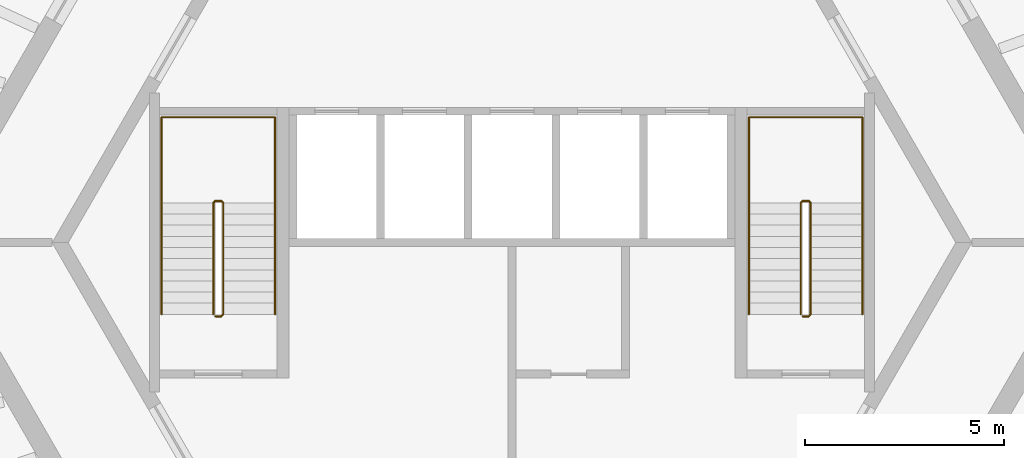
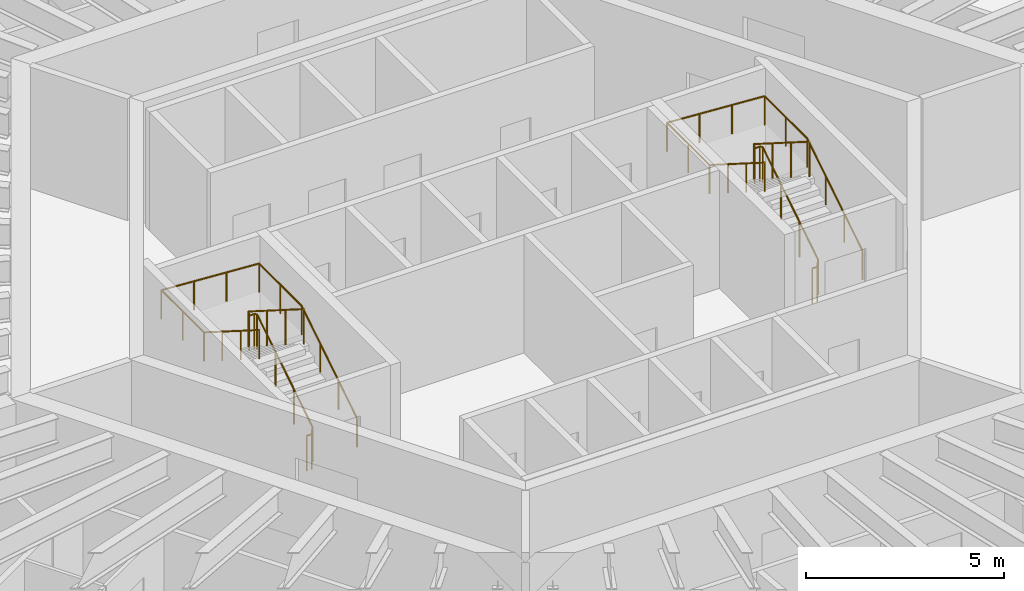
# One storey, part 10 of 10: 4 railings.
"""IFC4 building model written with IfcOpenShell, lengths in metres."""

from ifc_helpers import new_model, si_unit, direction, frame, origin, origin_2d, place, context, subcontext, project, spatial, circle, extrude, material, type_object, element, save


model = new_model("IFC4")

# Units and contexts
model_context = context("Model", 3, precision=1e-05, world=origin(), true_north=direction((0.0, 1.0)))
body_context = subcontext(model_context, "Body", "Model", "MODEL_VIEW")
ifc_project = project(units=[si_unit("LENGTHUNIT", "METRE"), si_unit("AREAUNIT", "SQUARE_METRE"), si_unit("VOLUMEUNIT", "CUBIC_METRE"), si_unit("PLANEANGLEUNIT", "RADIAN"), si_unit("MASSUNIT", "GRAM", prefix="KILO")], contexts=[model_context])

# Site, building, storey
site_placement = place(None, origin())
site = spatial("IfcSite", under=ifc_project, at=site_placement, CompositionType="ELEMENT")
building_placement = place(site_placement, origin())
building = spatial("IfcBuilding", under=site, at=building_placement, Name="Tarnside Tower", CompositionType="ELEMENT")
storey_placement = place(building_placement, frame((0.0, 0.0, 199.5)))
storey = spatial("IfcBuildingStorey", under=building, at=storey_placement, Name="L47", CompositionType="ELEMENT", Elevation=199.5)

# Railings
ifc_material = material(Name="Stainless steel", Category="steel")
railing_type_1 = type_object("IfcRailingType", Name="Stair guard 1100", PredefinedType="GUARDRAIL", material=ifc_material)
railing_1_placement = place(storey_placement, frame((7.300048828125, -1.85009765625, 0.0)))
element("IfcRailing", 1, at=railing_1_placement, inside=storey, type_object=railing_type_1, Name="L47 ST1 stair guard 1", PredefinedType="GUARDRAIL", context=body_context, shape_type="SweptSolid", body=[
    extrude(circle(Radius=0.02392578125, at=origin_2d()), frame((0.0, 0.0, 1.076171875), z_axis=(1.0, 0.0, 0.0), x_axis=(0.0, 1.0, 0.0)), (0.0, 0.0, 1.0), 0.14990234375),
    extrude(circle(Radius=0.02392578125, at=origin_2d()), frame((0.14990234375, 0.0, 1.076171875), z_axis=(0.262233686654, 0.262233686654, 0.928691007369), x_axis=(-0.707106781187, 0.707106781187, 0.0)), (0.0, 0.0, 1.0), 0.19091796875),
    extrude(circle(Radius=0.02392578125, at=origin_2d()), frame((0.199951171875, 0.050048828125, 1.25341796875), z_axis=(0.0, 0.844908973607, 0.534910110503), x_axis=(-1.0, 0.0, 0.0)), (0.0, 0.0, 1.0), 3.31396484375),
    extrude(circle(Radius=0.02392578125, at=origin_2d()), frame((0.199951171875, 2.85009765625, 3.02587890625), z_axis=(-0.707106781187, 0.707106781187, 0.0), x_axis=(-0.707106781187, -0.707106781187, 0.0)), (0.0, 0.0, 1.0), 0.07080078125),
    extrude(circle(Radius=0.02392578125, at=origin_2d()), frame((0.14990234375, 2.900146484375, 3.02587890625), z_axis=(-1.0, 0.0, 0.0), x_axis=(0.0, -1.0, 0.0)), (0.0, 0.0, 1.0), 0.14990234375),
    extrude(circle(Radius=0.02392578125, at=origin_2d()), frame((0.0, 2.900146484375, 3.02587890625), z_axis=(-0.262233686654, -0.262233686654, 0.928691007369), x_axis=(0.707106781187, -0.707106781187, 0.0)), (0.0, 0.0, 1.0), 0.19091796875),
    extrude(circle(Radius=0.02392578125, at=origin_2d()), frame((-0.050048828125, 2.85009765625, 3.203125), z_axis=(0.0, -0.844908973607, 0.534910110503), x_axis=(1.0, 0.0, 0.0)), (0.0, 0.0, 1.0), 3.31396484375),
    extrude(circle(Radius=0.02099609375, at=origin_2d()), origin(), (0.0, 0.0, 1.0), 1.052001953125),
    extrude(circle(Radius=0.02099609375, at=origin_2d()), frame((0.14990234375, 0.0, 0.0)), (0.0, 0.0, 1.0), 1.052001953125),
    extrude(circle(Radius=0.02099609375, at=origin_2d()), frame((0.199951171875, 0.050048828125, 0.17724609375)), (0.0, 0.0, 1.0), 1.052001953125),
    extrude(circle(Radius=0.02099609375, at=origin_2d()), frame((0.199951171875, 0.9833984375, 0.76806640625)), (0.0, 0.0, 1.0), 1.052001953125),
    extrude(circle(Radius=0.02099609375, at=origin_2d()), frame((0.199951171875, 1.916748046875, 1.359130859375)), (0.0, 0.0, 1.0), 1.052001953125),
    extrude(circle(Radius=0.02099609375, at=origin_2d()), frame((0.199951171875, 2.85009765625, 1.949951171875)), (0.0, 0.0, 1.0), 1.052001953125),
    extrude(circle(Radius=0.02099609375, at=origin_2d()), frame((0.14990234375, 2.900146484375, 1.949951171875)), (0.0, 0.0, 1.0), 1.052001953125),
    extrude(circle(Radius=0.02099609375, at=origin_2d()), frame((0.0, 2.900146484375, 1.949951171875)), (0.0, 0.0, 1.0), 1.052001953125),
    extrude(circle(Radius=0.02099609375, at=origin_2d()), frame((-0.050048828125, 2.85009765625, 2.127197265625)), (0.0, 0.0, 1.0), 1.052001953125),
    extrude(circle(Radius=0.02099609375, at=origin_2d()), frame((-0.050048828125, 1.916748046875, 2.718017578125)), (0.0, 0.0, 1.0), 1.052001953125),
    extrude(circle(Radius=0.02099609375, at=origin_2d()), frame((-0.050048828125, 0.9833984375, 3.30908203125)), (0.0, 0.0, 1.0), 1.052001953125),
    extrude(circle(Radius=0.02099609375, at=origin_2d()), frame((-0.050048828125, 0.050048828125, 3.89990234375)), (0.0, 0.0, 1.0), 1.052001953125),
])
railing_2_placement = place(storey_placement, frame((-7.449951171875, -1.85009765625, 0.0)))
element("IfcRailing", 2, at=railing_2_placement, inside=storey, type_object=railing_type_1, Name="L47 ST2 stair guard 1", PredefinedType="GUARDRAIL", context=body_context, shape_type="SweptSolid", body=[
    extrude(circle(Radius=0.02392578125, at=origin_2d()), frame((0.0, 0.0, 1.076171875), z_axis=(1.0, 0.0, 0.0), x_axis=(0.0, 1.0, 0.0)), (0.0, 0.0, 1.0), 0.14990234375),
    extrude(circle(Radius=0.02392578125, at=origin_2d()), frame((0.14990234375, 0.0, 1.076171875), z_axis=(0.262233686654, 0.262233686654, 0.928691007369), x_axis=(-0.707106781187, 0.707106781187, 0.0)), (0.0, 0.0, 1.0), 0.19091796875),
    extrude(circle(Radius=0.02392578125, at=origin_2d()), frame((0.199951171875, 0.050048828125, 1.25341796875), z_axis=(0.0, 0.844908973607, 0.534910110503), x_axis=(-1.0, 0.0, 0.0)), (0.0, 0.0, 1.0), 3.31396484375),
    extrude(circle(Radius=0.02392578125, at=origin_2d()), frame((0.199951171875, 2.85009765625, 3.02587890625), z_axis=(-0.707106781187, 0.707106781187, 0.0), x_axis=(-0.707106781187, -0.707106781187, 0.0)), (0.0, 0.0, 1.0), 0.07080078125),
    extrude(circle(Radius=0.02392578125, at=origin_2d()), frame((0.14990234375, 2.900146484375, 3.02587890625), z_axis=(-1.0, 0.0, 0.0), x_axis=(0.0, -1.0, 0.0)), (0.0, 0.0, 1.0), 0.14990234375),
    extrude(circle(Radius=0.02392578125, at=origin_2d()), frame((0.0, 2.900146484375, 3.02587890625), z_axis=(-0.262233686654, -0.262233686654, 0.928691007369), x_axis=(0.707106781187, -0.707106781187, 0.0)), (0.0, 0.0, 1.0), 0.19091796875),
    extrude(circle(Radius=0.02392578125, at=origin_2d()), frame((-0.050048828125, 2.85009765625, 3.203125), z_axis=(0.0, -0.844908973607, 0.534910110503), x_axis=(1.0, 0.0, 0.0)), (0.0, 0.0, 1.0), 3.31396484375),
    extrude(circle(Radius=0.02099609375, at=origin_2d()), origin(), (0.0, 0.0, 1.0), 1.052001953125),
    extrude(circle(Radius=0.02099609375, at=origin_2d()), frame((0.14990234375, 0.0, 0.0)), (0.0, 0.0, 1.0), 1.052001953125),
    extrude(circle(Radius=0.02099609375, at=origin_2d()), frame((0.199951171875, 0.050048828125, 0.17724609375)), (0.0, 0.0, 1.0), 1.052001953125),
    extrude(circle(Radius=0.02099609375, at=origin_2d()), frame((0.199951171875, 0.9833984375, 0.76806640625)), (0.0, 0.0, 1.0), 1.052001953125),
    extrude(circle(Radius=0.02099609375, at=origin_2d()), frame((0.199951171875, 1.916748046875, 1.359130859375)), (0.0, 0.0, 1.0), 1.052001953125),
    extrude(circle(Radius=0.02099609375, at=origin_2d()), frame((0.199951171875, 2.85009765625, 1.949951171875)), (0.0, 0.0, 1.0), 1.052001953125),
    extrude(circle(Radius=0.02099609375, at=origin_2d()), frame((0.14990234375, 2.900146484375, 1.949951171875)), (0.0, 0.0, 1.0), 1.052001953125),
    extrude(circle(Radius=0.02099609375, at=origin_2d()), frame((0.0, 2.900146484375, 1.949951171875)), (0.0, 0.0, 1.0), 1.052001953125),
    extrude(circle(Radius=0.02099609375, at=origin_2d()), frame((-0.050048828125, 2.85009765625, 2.127197265625)), (0.0, 0.0, 1.0), 1.052001953125),
    extrude(circle(Radius=0.02099609375, at=origin_2d()), frame((-0.050048828125, 1.916748046875, 2.718017578125)), (0.0, 0.0, 1.0), 1.052001953125),
    extrude(circle(Radius=0.02099609375, at=origin_2d()), frame((-0.050048828125, 0.9833984375, 3.30908203125)), (0.0, 0.0, 1.0), 1.052001953125),
    extrude(circle(Radius=0.02099609375, at=origin_2d()), frame((-0.050048828125, 0.050048828125, 3.89990234375)), (0.0, 0.0, 1.0), 1.052001953125),
])
railing_type_2 = type_object("IfcRailingType", Name="Stair handrail 900", PredefinedType="HANDRAIL", material=ifc_material)
railing_3_placement = place(storey_placement, frame((8.800048828125, -1.800048828125, 0.17724609375)))
element("IfcRailing", 3, at=railing_3_placement, inside=storey, type_object=railing_type_2, Name="L47 ST1 stair handrail 1", PredefinedType="HANDRAIL", context=body_context, shape_type="SweptSolid", body=[
    extrude(circle(Radius=0.02392578125, at=origin_2d()), frame((0.0, 0.0, 0.8857421875), z_axis=(0.0, 0.844908973607, 0.534910110503), x_axis=(-1.0, 0.0, 0.0)), (0.0, 0.0, 1.0), 3.31396484375),
    extrude(circle(Radius=0.02392578125, at=origin_2d()), frame((0.0, 2.800048828125, 2.65869140625), z_axis=(0.0, 1.0, 0.0), x_axis=(-1.0, 0.0, 0.0)), (0.0, 0.0, 1.0), 2.14990234375),
    extrude(circle(Radius=0.02392578125, at=origin_2d()), frame((0.0, 4.949951171875, 2.65869140625), z_axis=(-0.998071825391, 0.0, 0.06206956872), x_axis=(0.0, -1.0, 0.0)), (0.0, 0.0, 1.0), 2.855712890625),
    extrude(circle(Radius=0.02392578125, at=origin_2d()), frame((-2.85009765625, 4.949951171875, 2.8359375), z_axis=(0.0, -1.0, 0.0), x_axis=(1.0, 0.0, 0.0)), (0.0, 0.0, 1.0), 2.14990234375),
    extrude(circle(Radius=0.02392578125, at=origin_2d()), frame((-2.85009765625, 2.800048828125, 2.8359375), z_axis=(0.0, -0.844908973607, 0.534910110503), x_axis=(1.0, 0.0, 0.0)), (0.0, 0.0, 1.0), 3.31396484375),
    extrude(circle(Radius=0.02099609375, at=origin_2d()), origin(), (0.0, 0.0, 1.0), 0.86181640625),
    extrude(circle(Radius=0.02099609375, at=origin_2d()), frame((0.0, 0.933349609375, 0.5908203125)), (0.0, 0.0, 1.0), 0.86181640625),
    extrude(circle(Radius=0.02099609375, at=origin_2d()), frame((0.0, 1.86669921875, 1.181884765625)), (0.0, 0.0, 1.0), 0.86181640625),
    extrude(circle(Radius=0.02099609375, at=origin_2d()), frame((0.0, 2.800048828125, 1.772705078125)), (0.0, 0.0, 1.0), 0.86181640625),
    extrude(circle(Radius=0.02099609375, at=origin_2d()), frame((0.0, 3.875, 1.772705078125)), (0.0, 0.0, 1.0), 0.86181640625),
    extrude(circle(Radius=0.02099609375, at=origin_2d()), frame((0.0, 4.949951171875, 1.772705078125)), (0.0, 0.0, 1.0), 0.86181640625),
    extrude(circle(Radius=0.02099609375, at=origin_2d()), frame((-0.949951171875, 4.949951171875, 1.831787109375)), (0.0, 0.0, 1.0), 0.86181640625),
    extrude(circle(Radius=0.02099609375, at=origin_2d()), frame((-1.900146484375, 4.949951171875, 1.890869140625)), (0.0, 0.0, 1.0), 0.86181640625),
    extrude(circle(Radius=0.02099609375, at=origin_2d()), frame((-2.85009765625, 4.949951171875, 1.949951171875)), (0.0, 0.0, 1.0), 0.86181640625),
    extrude(circle(Radius=0.02099609375, at=origin_2d()), frame((-2.85009765625, 3.875, 1.949951171875)), (0.0, 0.0, 1.0), 0.86181640625),
    extrude(circle(Radius=0.02099609375, at=origin_2d()), frame((-2.85009765625, 2.800048828125, 1.949951171875)), (0.0, 0.0, 1.0), 0.86181640625),
    extrude(circle(Radius=0.02099609375, at=origin_2d()), frame((-2.85009765625, 1.86669921875, 2.540771484375)), (0.0, 0.0, 1.0), 0.86181640625),
    extrude(circle(Radius=0.02099609375, at=origin_2d()), frame((-2.85009765625, 0.933349609375, 3.1318359375)), (0.0, 0.0, 1.0), 0.86181640625),
    extrude(circle(Radius=0.02099609375, at=origin_2d()), frame((-2.85009765625, 0.0, 3.72265625)), (0.0, 0.0, 1.0), 0.86181640625),
])
railing_4_placement = place(storey_placement, frame((-5.949951171875, -1.800048828125, 0.17724609375)))
element("IfcRailing", 4, at=railing_4_placement, inside=storey, type_object=railing_type_2, Name="L47 ST2 stair handrail 1", PredefinedType="HANDRAIL", context=body_context, shape_type="SweptSolid", body=[
    extrude(circle(Radius=0.02392578125, at=origin_2d()), frame((0.0, 0.0, 0.8857421875), z_axis=(0.0, 0.844908973607, 0.534910110503), x_axis=(-1.0, 0.0, 0.0)), (0.0, 0.0, 1.0), 3.31396484375),
    extrude(circle(Radius=0.02392578125, at=origin_2d()), frame((0.0, 2.800048828125, 2.65869140625), z_axis=(0.0, 1.0, 0.0), x_axis=(-1.0, 0.0, 0.0)), (0.0, 0.0, 1.0), 2.14990234375),
    extrude(circle(Radius=0.02392578125, at=origin_2d()), frame((0.0, 4.949951171875, 2.65869140625), z_axis=(-0.998071825391, 0.0, 0.06206956872), x_axis=(0.0, -1.0, 0.0)), (0.0, 0.0, 1.0), 2.855712890625),
    extrude(circle(Radius=0.02392578125, at=origin_2d()), frame((-2.85009765625, 4.949951171875, 2.8359375), z_axis=(0.0, -1.0, 0.0), x_axis=(1.0, 0.0, 0.0)), (0.0, 0.0, 1.0), 2.14990234375),
    extrude(circle(Radius=0.02392578125, at=origin_2d()), frame((-2.85009765625, 2.800048828125, 2.8359375), z_axis=(0.0, -0.844908973607, 0.534910110503), x_axis=(1.0, 0.0, 0.0)), (0.0, 0.0, 1.0), 3.31396484375),
    extrude(circle(Radius=0.02099609375, at=origin_2d()), origin(), (0.0, 0.0, 1.0), 0.86181640625),
    extrude(circle(Radius=0.02099609375, at=origin_2d()), frame((0.0, 0.933349609375, 0.5908203125)), (0.0, 0.0, 1.0), 0.86181640625),
    extrude(circle(Radius=0.02099609375, at=origin_2d()), frame((0.0, 1.86669921875, 1.181884765625)), (0.0, 0.0, 1.0), 0.86181640625),
    extrude(circle(Radius=0.02099609375, at=origin_2d()), frame((0.0, 2.800048828125, 1.772705078125)), (0.0, 0.0, 1.0), 0.86181640625),
    extrude(circle(Radius=0.02099609375, at=origin_2d()), frame((0.0, 3.875, 1.772705078125)), (0.0, 0.0, 1.0), 0.86181640625),
    extrude(circle(Radius=0.02099609375, at=origin_2d()), frame((0.0, 4.949951171875, 1.772705078125)), (0.0, 0.0, 1.0), 0.86181640625),
    extrude(circle(Radius=0.02099609375, at=origin_2d()), frame((-0.949951171875, 4.949951171875, 1.831787109375)), (0.0, 0.0, 1.0), 0.86181640625),
    extrude(circle(Radius=0.02099609375, at=origin_2d()), frame((-1.900146484375, 4.949951171875, 1.890869140625)), (0.0, 0.0, 1.0), 0.86181640625),
    extrude(circle(Radius=0.02099609375, at=origin_2d()), frame((-2.85009765625, 4.949951171875, 1.949951171875)), (0.0, 0.0, 1.0), 0.86181640625),
    extrude(circle(Radius=0.02099609375, at=origin_2d()), frame((-2.85009765625, 3.875, 1.949951171875)), (0.0, 0.0, 1.0), 0.86181640625),
    extrude(circle(Radius=0.02099609375, at=origin_2d()), frame((-2.85009765625, 2.800048828125, 1.949951171875)), (0.0, 0.0, 1.0), 0.86181640625),
    extrude(circle(Radius=0.02099609375, at=origin_2d()), frame((-2.85009765625, 1.86669921875, 2.540771484375)), (0.0, 0.0, 1.0), 0.86181640625),
    extrude(circle(Radius=0.02099609375, at=origin_2d()), frame((-2.85009765625, 0.933349609375, 3.1318359375)), (0.0, 0.0, 1.0), 0.86181640625),
    extrude(circle(Radius=0.02099609375, at=origin_2d()), frame((-2.85009765625, 0.0, 3.72265625)), (0.0, 0.0, 1.0), 0.86181640625),
])

save(model, "model.ifc")
